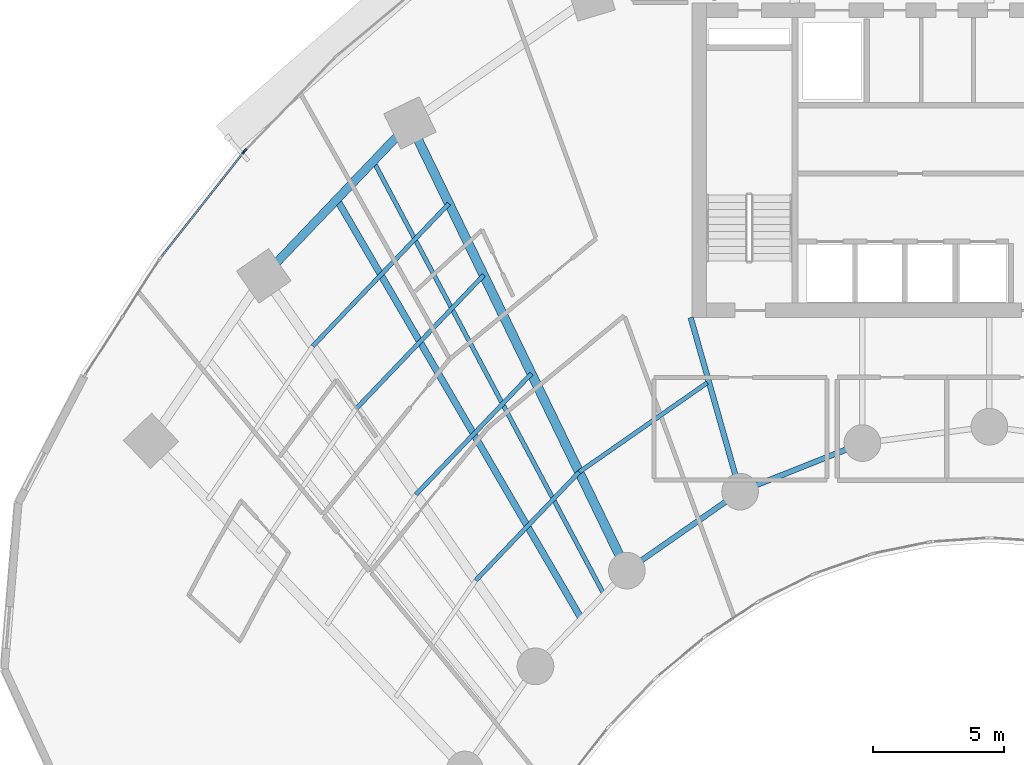
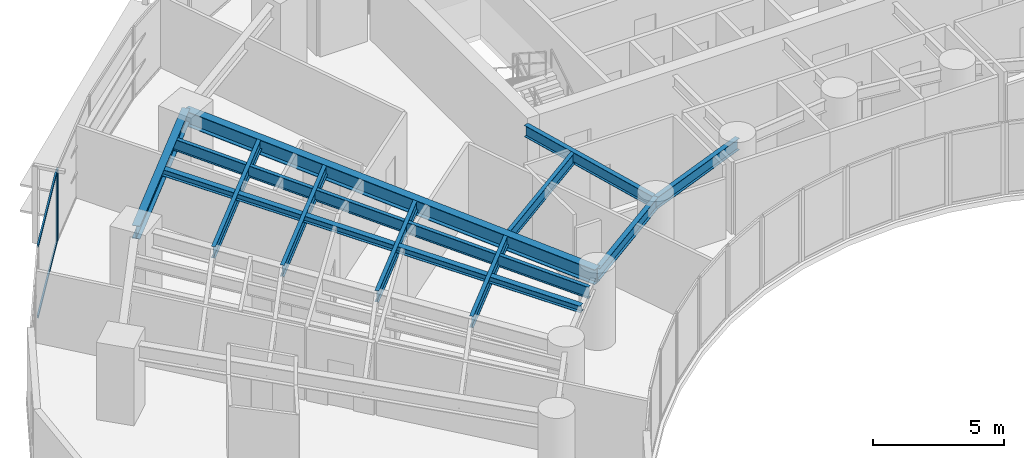
# One storey, part 3 of 17: 12 beams, 4 members, 2 elements without a shape of their own.
"""IFC4 building model written with IfcOpenShell, lengths in metres."""

from ifc_helpers import new_model, si_unit, direction, frame, origin, origin_2d, place, context, subcontext, project, spatial, rectangle, i_section, extrude, source, transform, mapped, material, layer, layer_set, material_profile, profile_set, type_object, type_shapes, element, aggregate, save


model = new_model("IFC4")

# Units and contexts
model_context = context("Model", 3, precision=1e-05, world=origin(), true_north=direction((0.0, 1.0)))
body_context = subcontext(model_context, "Body", "Model", "MODEL_VIEW")
ifc_project = project(units=[si_unit("LENGTHUNIT", "METRE"), si_unit("AREAUNIT", "SQUARE_METRE"), si_unit("VOLUMEUNIT", "CUBIC_METRE"), si_unit("PLANEANGLEUNIT", "RADIAN"), si_unit("MASSUNIT", "GRAM", prefix="KILO")], contexts=[model_context])

# Site, building, storey
site_placement = place(None, origin())
site = spatial("IfcSite", under=ifc_project, at=site_placement, CompositionType="ELEMENT")
building_placement = place(site_placement, origin())
building = spatial("IfcBuilding", under=site, at=building_placement, Name="Breltana Convention Tower", CompositionType="ELEMENT")
storey_placement = place(building_placement, frame((0.0, 0.0, 53.39990234375)))
storey = spatial("IfcBuildingStorey", under=building, at=storey_placement, Name="L11", CompositionType="ELEMENT", Elevation=53.39990234375)

# Beams
ifc_material_1 = material(Name="Steel ASTM A992 Grade 50", Category="steel")
ifc_material_profile_1 = material_profile(ifc_material_1, i_section(OverallWidth=0.323974609375, OverallDepth=0.611083984375, WebThickness=0.0126953125, FlangeThickness=0.01904296875, at=origin_2d()), Name="W24X104")
ifc_profile_set_1 = profile_set([ifc_material_profile_1], Name="Steel ASTM A992 Grade 50")
beam_type_1 = type_object("IfcBeamType", Name="BM-SP-W24X104", PredefinedType="SPANDREL", material=ifc_profile_set_1)
shared_shape_1 = source(origin(), body_context, "Body", "SweptSolid", [
    extrude(i_section(OverallWidth=0.323974609375, OverallDepth=0.611083984375, WebThickness=0.0126953125, FlangeThickness=0.01904296875, at=origin_2d()), origin(), (0.0, 0.0, 1.0), 8.073974609375),
])
beam_1_placement = place(storey_placement, frame((20.310791015625, 61.78857421875, 3.0546875), z_axis=(0.69072885448, 0.723113856588, 0.0), x_axis=(-0.723113856588, 0.69072885448, 0.0)))
element("IfcBeam", 1, at=beam_1_placement, inside=storey, type_object=beam_type_1, Name="L11 Outer Spandrel Beam 02", PredefinedType="SPANDREL", context=body_context, shape_type="MappedRepresentation", body=[
    mapped(shared_shape_1, transform((0.0, 0.0, 0.0), scale=1.0)),
])
ifc_material_profile_2 = material_profile(ifc_material_1, i_section(OverallWidth=0.35498046875, OverallDepth=0.696044921875, WebThickness=0.015380859375, FlangeThickness=0.02490234375, at=origin_2d()), Name="W27X146")
ifc_profile_set_2 = profile_set([ifc_material_profile_2], Name="Steel ASTM A992 Grade 50")
beam_type_2 = type_object("IfcBeamType", Name="BM-RG-W27X146", PredefinedType="USERDEFINED", material=ifc_profile_set_2)
shared_shape_2 = source(origin(), body_context, "Body", "SweptSolid", [
    extrude(i_section(OverallWidth=0.35498046875, OverallDepth=0.696044921875, WebThickness=0.015380859375, FlangeThickness=0.02490234375, at=origin_2d()), origin(), (0.0, 0.0, 1.0), 18.982421875),
])
beam_2_placement = place(storey_placement, frame((34.166259765625, 50.544921875, 3.01220703125), z_axis=(-0.436118560343, 0.89988921614, 0.0), x_axis=(-0.89988921614, -0.436118560343, 0.0)))
element("IfcBeam", 2, at=beam_2_placement, inside=storey, type_object=beam_type_2, Name="L11 Radial Floor Girder R03", ObjectType="GIRDER", PredefinedType="USERDEFINED", context=body_context, shape_type="MappedRepresentation", body=[
    mapped(shared_shape_2, transform((0.0, 0.0, 0.0), scale=1.0)),
])
ifc_material_profile_3 = material_profile(ifc_material_1, i_section(OverallWidth=0.2099609375, OverallDepth=0.537109375, WebThickness=0.010986328125, FlangeThickness=0.017333984375, at=origin_2d()), Name="W21X68")
ifc_profile_set_3 = profile_set([ifc_material_profile_3], Name="Steel ASTM A992 Grade 50")
beam_type_3 = type_object("IfcBeamType", Name="BM-BM-W21X68", PredefinedType="BEAM", material=ifc_profile_set_3)
shared_shape_3 = source(origin(), body_context, "Body", "SweptSolid", [
    extrude(i_section(OverallWidth=0.2099609375, OverallDepth=0.537109375, WebThickness=0.010986328125, FlangeThickness=0.017333984375, at=origin_2d()), origin(), (0.0, 0.0, 1.0), 6.904541015625),
])
type_shapes(beam_type_3, [shared_shape_3])
beam_3_placement = place(storey_placement, frame((36.60009765625, 60.199951171875, 3.091552734375), z_axis=(0.273006781054, -0.962012108811, 0.0), x_axis=(0.962012108811, 0.273006781054, 0.0)))
element("IfcBeam", 3, at=beam_3_placement, inside=storey, type_object=beam_type_3, Name="L11 South Core Tie Girder R04", PredefinedType="BEAM", context=body_context, shape_type="MappedRepresentation", body=[
    mapped(shared_shape_3, transform((0.0, 0.0, 0.0), scale=1.0)),
])
shared_shape_4 = source(origin(), body_context, "Body", "SweptSolid", [
    extrude(i_section(OverallWidth=0.2099609375, OverallDepth=0.537109375, WebThickness=0.010986328125, FlangeThickness=0.017333984375, at=origin_2d()), origin(), (0.0, 0.0, 1.0), 5.265869140625),
])
beam_4_placement = place(storey_placement, frame((34.166259765625, 50.544921875, 3.091552734375), z_axis=(0.820167429517, 0.572123577176, 0.0), x_axis=(-0.572123577176, 0.820167429517, 0.0)))
element("IfcBeam", 4, at=beam_4_placement, inside=storey, type_object=beam_type_3, Name="L11 Inner Ring Beam 03", PredefinedType="BEAM", context=body_context, shape_type="MappedRepresentation", body=[
    mapped(shared_shape_4, transform((0.0, 0.0, 0.0), scale=1.0)),
])
shared_shape_5 = source(origin(), body_context, "Body", "SweptSolid", [
    extrude(i_section(OverallWidth=0.2099609375, OverallDepth=0.537109375, WebThickness=0.010986328125, FlangeThickness=0.017333984375, at=origin_2d()), origin(), (0.0, 0.0, 1.0), 5.022705078125),
])
beam_5_placement = place(storey_placement, frame((38.485107421875, 53.5576171875, 3.091552734375), z_axis=(0.929458966248, 0.368925507469, 0.0), x_axis=(-0.368925507469, 0.929458966248, 0.0)))
element("IfcBeam", 5, at=beam_5_placement, inside=storey, type_object=beam_type_3, Name="L11 Inner Ring Beam 04", PredefinedType="BEAM", context=body_context, shape_type="MappedRepresentation", body=[
    mapped(shared_shape_5, transform((0.0, 0.0, 0.0), scale=1.0)),
])
ifc_material_profile_4 = material_profile(ifc_material_1, i_section(OverallWidth=0.166015625, OverallDepth=0.534912109375, WebThickness=0.01025390625, FlangeThickness=0.0166015625, at=origin_2d()), Name="W21X57")
ifc_profile_set_4 = profile_set([ifc_material_profile_4], Name="Steel ASTM A992 Grade 50")
beam_type_4 = type_object("IfcBeamType", Name="BM-JSG-05", PredefinedType="JOIST", material=ifc_profile_set_4)
shared_shape_6 = source(origin(), body_context, "Body", "SweptSolid", [
    extrude(i_section(OverallWidth=0.166015625, OverallDepth=0.534912109375, WebThickness=0.01025390625, FlangeThickness=0.0166015625, at=origin_2d()), origin(), (0.0, 0.0, 1.0), 5.716064453125),
])
beam_6_placement = place(storey_placement, frame((28.396484375, 50.169677734375, 3.092529296875), z_axis=(0.690756060045, 0.723087868458, 0.0), x_axis=(-0.723087868458, 0.690756060045, 0.0)))
element("IfcBeam", 6, at=beam_6_placement, inside=storey, type_object=beam_type_4, Name="L11 Composite Floor Joist 02.1", PredefinedType="JOIST", context=body_context, shape_type="MappedRepresentation", body=[
    mapped(shared_shape_6, transform((0.0, 0.0, 0.0), scale=1.0)),
])
shared_shape_7 = source(origin(), body_context, "Body", "SweptSolid", [
    extrude(i_section(OverallWidth=0.166015625, OverallDepth=0.534912109375, WebThickness=0.01025390625, FlangeThickness=0.0166015625, at=origin_2d()), origin(), (0.0, 0.0, 1.0), 6.381103515625),
])
beam_7_placement = place(storey_placement, frame((26.115966796875, 53.44677734375, 3.092529296875), z_axis=(0.690737768889, 0.723105341309, 0.0), x_axis=(-0.723105341309, 0.690737768889, 0.0)))
element("IfcBeam", 7, at=beam_7_placement, inside=storey, type_object=beam_type_4, Name="L11 Composite Floor Joist 02.2", PredefinedType="JOIST", context=body_context, shape_type="MappedRepresentation", body=[
    mapped(shared_shape_7, transform((0.0, 0.0, 0.0), scale=1.0)),
])
shared_shape_8 = source(origin(), body_context, "Body", "SweptSolid", [
    extrude(i_section(OverallWidth=0.166015625, OverallDepth=0.534912109375, WebThickness=0.01025390625, FlangeThickness=0.0166015625, at=origin_2d()), origin(), (0.0, 0.0, 1.0), 7.046142578125),
])
beam_8_placement = place(storey_placement, frame((23.83544921875, 56.723876953125, 3.092529296875), z_axis=(0.690722929904, 0.723119515782, 0.0), x_axis=(-0.723119515782, 0.690722929904, 0.0)))
element("IfcBeam", 8, at=beam_8_placement, inside=storey, type_object=beam_type_4, Name="L11 Composite Floor Joist 02.3", PredefinedType="JOIST", context=body_context, shape_type="MappedRepresentation", body=[
    mapped(shared_shape_8, transform((0.0, 0.0, 0.0), scale=1.0)),
])
shared_shape_9 = source(origin(), body_context, "Body", "SweptSolid", [
    extrude(i_section(OverallWidth=0.166015625, OverallDepth=0.534912109375, WebThickness=0.01025390625, FlangeThickness=0.0166015625, at=origin_2d()), origin(), (0.0, 0.0, 1.0), 7.529541015625),
])
beam_9_placement = place(storey_placement, frame((22.1767578125, 59.107421875, 3.092529296875), z_axis=(0.690725562031, 0.723117001568, 0.0), x_axis=(-0.723117001568, 0.690725562031, 0.0)))
element("IfcBeam", 9, at=beam_9_placement, inside=storey, type_object=beam_type_4, Name="L11 Composite Floor Joist 02.4", PredefinedType="JOIST", context=body_context, shape_type="MappedRepresentation", body=[
    mapped(shared_shape_9, transform((0.0, 0.0, 0.0), scale=1.0)),
])
ifc_material_profile_5 = material_profile(ifc_material_1, i_section(OverallWidth=0.25390625, OverallDepth=0.305908203125, WebThickness=0.0087890625, FlangeThickness=0.0146484375, at=origin_2d()), Name="W12X53")
ifc_profile_set_5 = profile_set([ifc_material_profile_5], Name="Steel ASTM A992 Grade 50")
beam_type_5 = type_object("IfcBeamType", Name="BM-JSG-10", PredefinedType="JOIST", material=ifc_profile_set_5)
shared_shape_10 = source(origin(), body_context, "Body", "SweptSolid", [
    extrude(i_section(OverallWidth=0.25390625, OverallDepth=0.305908203125, WebThickness=0.0087890625, FlangeThickness=0.0146484375, at=origin_2d()), origin(), (0.0, 0.0, 1.0), 18.50830078125),
])
beam_10_placement = place(storey_placement, frame((32.421630859375, 48.71875, 3.20703125), z_axis=(-0.50368319637, 0.863888440537, 0.0), x_axis=(-0.863888440537, -0.50368319637, 0.0)))
element("IfcBeam", 10, at=beam_10_placement, inside=storey, type_object=beam_type_5, Name="L11 Mid-Bay Radial Trimmer 02", PredefinedType="JOIST", context=body_context, shape_type="MappedRepresentation", body=[
    mapped(shared_shape_10, transform((0.0, 0.0, 0.0), scale=1.0)),
])
shared_shape_11 = source(origin(), body_context, "Body", "SweptSolid", [
    extrude(i_section(OverallWidth=0.166015625, OverallDepth=0.534912109375, WebThickness=0.01025390625, FlangeThickness=0.0166015625, at=origin_2d()), origin(), (0.0, 0.0, 1.0), 18.731689453125),
])
beam_11_placement = place(storey_placement, frame((33.2939453125, 49.6318359375, 3.092529296875), z_axis=(-0.469820250451, 0.882762104004, 0.0), x_axis=(-0.882762104004, -0.469820250451, 0.0)))
element("IfcBeam", 11, at=beam_11_placement, inside=storey, type_object=beam_type_4, Name="L11 Quarter-Bay Radial Trimmer 02", PredefinedType="JOIST", context=body_context, shape_type="MappedRepresentation", body=[
    mapped(shared_shape_11, transform((0.0, 0.0, 0.0), scale=1.0)),
])
shared_shape_12 = source(origin(), body_context, "Body", "SweptSolid", [
    extrude(i_section(OverallWidth=0.166015625, OverallDepth=0.534912109375, WebThickness=0.01025390625, FlangeThickness=0.0166015625, at=origin_2d()), origin(), (0.0, 0.0, 1.0), 5.959228515625),
])
beam_12_placement = place(storey_placement, frame((32.344970703125, 54.302978515625, 3.092529296875), z_axis=(0.820160485262, 0.572133531979, 0.0), x_axis=(-0.572133531979, 0.820160485262, 0.0)))
element("IfcBeam", 12, at=beam_12_placement, inside=storey, type_object=beam_type_4, Name="L11 Composite Floor Joist 03.1", PredefinedType="JOIST", context=body_context, shape_type="MappedRepresentation", body=[
    mapped(shared_shape_12, transform((0.0, 0.0, 0.0), scale=1.0)),
])

# Curtain wall, member
ifc_material_2 = material(Name="Aluminium Anodised Bronze Frame", Category="aluminium")
ifc_layer = layer(ifc_material_2, 0.199951171875, Name="Aluminium Anodised Bronze Frame")
ifc_layer_set = layer_set([ifc_layer], Name="Aluminium Anodised Bronze Frame")
curtain_wall_type = type_object("IfcCurtainWallType", Name="CW-SYS-2", PredefinedType="NOTDEFINED", material=ifc_layer_set)
curtain_wall_1_placement = place(storey_placement, origin())
curtain_wall_1 = element("IfcCurtainWall", 13, at=curtain_wall_1_placement, inside=storey, type_object=curtain_wall_type, Name="L11 outer double-skin inner glazing 2", PredefinedType="NOTDEFINED")
ifc_material_3 = material(Name="Aluminium Anodised Bronze", Category="aluminium")
ifc_material_profile_6 = material_profile(ifc_material_3, rectangle(XDim=0.070068359375, YDim=0.175048828125, at=origin_2d()), Name="CWM-70X175")
ifc_profile_set_6 = profile_set([ifc_material_profile_6], Name="Aluminium Anodised Bronze")
member_type_1 = type_object("IfcMemberType", Name="CWM-175", PredefinedType="MULLION", material=ifc_profile_set_6)
shared_shape_13 = source(origin(), body_context, "Body", "SweptSolid", [
    extrude(rectangle(XDim=0.070068359375, YDim=0.175048828125, at=origin_2d()), origin(), (0.0, 0.0, 1.0), 3.360107421875),
])
type_shapes(member_type_1, [shared_shape_13])
member_1_placement = place(storey_placement, frame((19.545166015625, 66.518798828125, 0.0), z_axis=(0.0, 0.0, 1.0), x_axis=(-0.786057080698, 0.618153917633, 0.0)))
member_1 = element("IfcMember", 14, at=member_1_placement, type_object=member_type_1, Name="CW-02 mullion 2", PredefinedType="MULLION", context=body_context, shape_type="MappedRepresentation", body=[
    mapped(shared_shape_13, transform((0.0, 0.0, 0.0), scale=1.0)),
])

curtain_wall_2_placement = place(storey_placement, origin())
curtain_wall_2 = element("IfcCurtainWall", 15, at=curtain_wall_2_placement, inside=storey, type_object=curtain_wall_type, Name="L11 outer double-skin inner glazing 3", PredefinedType="NOTDEFINED")
member_2_placement = place(storey_placement, frame((19.591064453125, 66.571533203125, 0.0), z_axis=(0.0, 0.0, 1.0), x_axis=(-0.719386421003, 0.694610090106, 0.0)))
member_2 = element("IfcMember", 16, at=member_2_placement, type_object=member_type_1, Name="CW-02 mullion 1", PredefinedType="MULLION", context=body_context, shape_type="MappedRepresentation", body=[
    mapped(shared_shape_13, transform((0.0, 0.0, 0.0), scale=1.0)),
])
aggregate(curtain_wall_2, [member_2])

# Member
ifc_material_profile_7 = material_profile(ifc_material_3, rectangle(XDim=0.070068359375, YDim=0.1201171875, at=origin_2d()), Name="CWT-70X120")
ifc_profile_set_7 = profile_set([ifc_material_profile_7], Name="Aluminium Anodised Bronze")
member_type_2 = type_object("IfcMemberType", Name="CWT-120", PredefinedType="USERDEFINED", material=ifc_profile_set_7)
shared_shape_14 = source(origin(), body_context, "Body", "SweptSolid", [
    extrude(rectangle(XDim=0.070068359375, YDim=0.1201171875, at=origin_2d()), origin(), (0.0, 0.0, 1.0), 5.0546875),
])
member_3_placement = place(storey_placement, frame((16.39892578125, 62.51806640625, 0.03515625), z_axis=(0.618135067667, 0.786071903913, 0.0), x_axis=(-0.786071903913, 0.618135067667, 0.0)))
member_3 = element("IfcMember", 17, at=member_3_placement, type_object=member_type_2, Name="CW-02 transom 1.1", ObjectType="TRANSOM", PredefinedType="USERDEFINED", context=body_context, shape_type="MappedRepresentation", body=[
    mapped(shared_shape_14, transform((0.0, 0.0, 0.0), scale=1.0)),
])

member_4_placement = place(storey_placement, frame((16.39892578125, 62.51806640625, 3.3251953125), z_axis=(0.618135067667, 0.786071903913, 0.0), x_axis=(-0.786071903913, 0.618135067667, 0.0)))
member_4 = element("IfcMember", 18, at=member_4_placement, type_object=member_type_2, Name="CW-02 transom 1.2", ObjectType="TRANSOM", PredefinedType="USERDEFINED", context=body_context, shape_type="MappedRepresentation", body=[
    mapped(shared_shape_14, transform((0.0, 0.0, 0.0), scale=1.0)),
])

aggregate(curtain_wall_1, [member_1, member_3, member_4])

save(model, "model.ifc")
